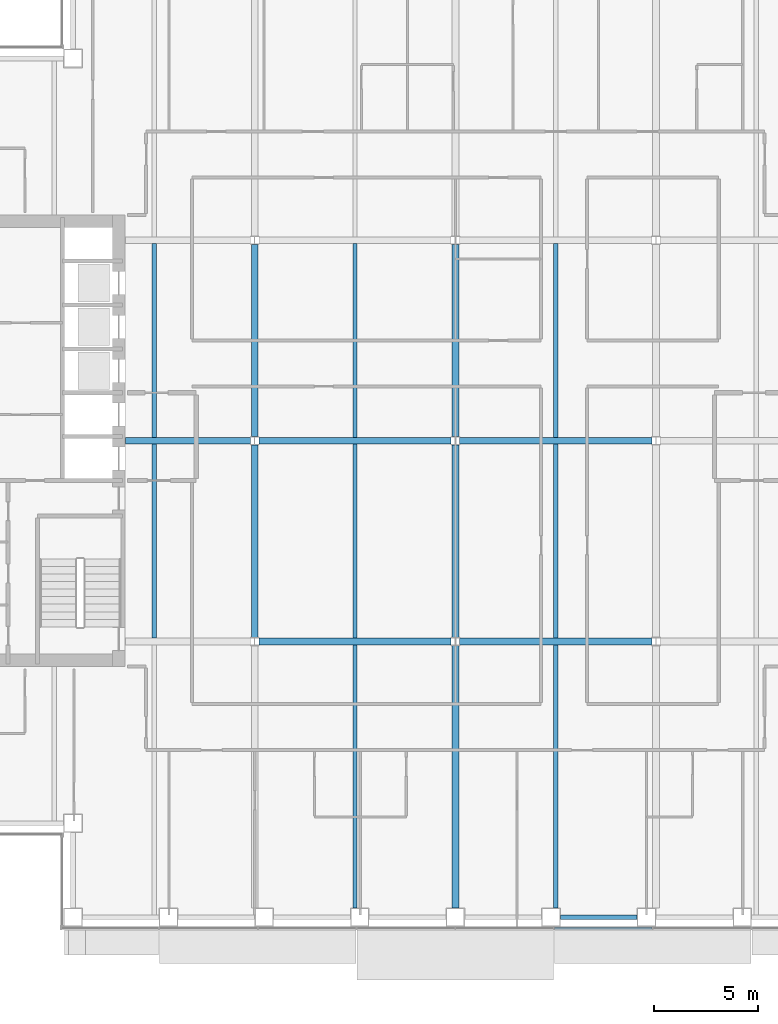
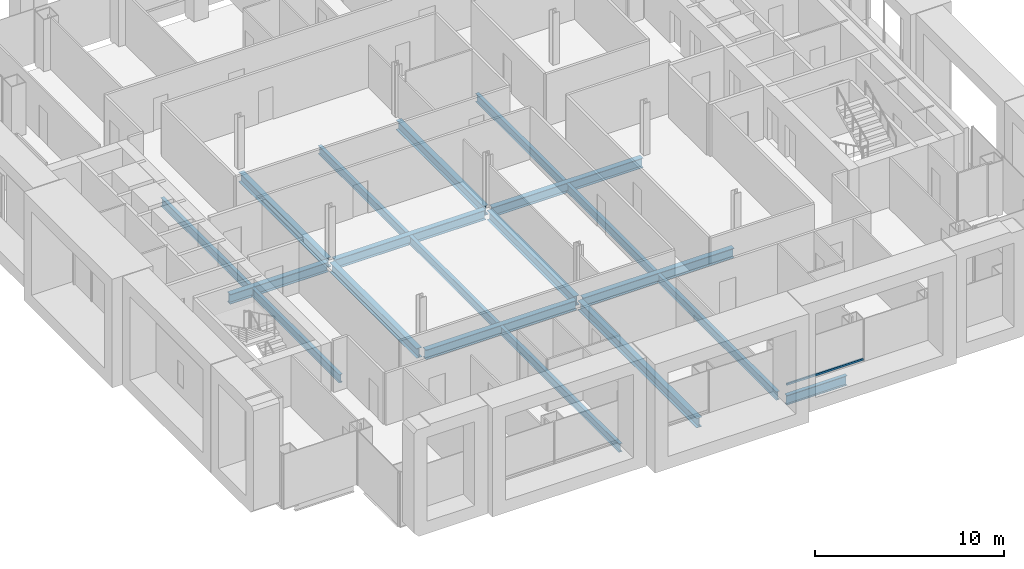
# One storey, part 3 of 20: 19 beams, 1 member, 1 element without a shape of its own.
"""IFC4 building model written with IfcOpenShell, lengths in metres."""

from ifc_helpers import new_model, si_unit, direction, frame, origin, origin_2d, place, context, subcontext, project, spatial, rectangle, i_section, extrude, material, material_profile, profile_set, type_object, element, aggregate, save


model = new_model("IFC4")

# Units and contexts
model_context = context("Model", 3, precision=1e-05, world=origin(), true_north=direction((0.0, 1.0)))
body_context = subcontext(model_context, "Body", "Model", "MODEL_VIEW")
ifc_project = project(units=[si_unit("LENGTHUNIT", "METRE"), si_unit("AREAUNIT", "SQUARE_METRE"), si_unit("VOLUMEUNIT", "CUBIC_METRE"), si_unit("PLANEANGLEUNIT", "RADIAN"), si_unit("MASSUNIT", "GRAM", prefix="KILO")], contexts=[model_context])

# Site, building, storey
site_placement = place(None, origin())
site = spatial("IfcSite", under=ifc_project, at=site_placement, CompositionType="ELEMENT")
building_placement = place(site_placement, origin())
building = spatial("IfcBuilding", under=site, at=building_placement, Name="Cobrizo Arcos Hotel Tower", CompositionType="ELEMENT")
storey_placement = place(building_placement, frame((0.0, 0.0, 110.0)))
storey = spatial("IfcBuildingStorey", under=building, at=storey_placement, Name="L27", CompositionType="ELEMENT", Elevation=110.0)

# Curtain wall, member
ifc_material_1 = material(Name="Aluminium 6063-T6 anodised bronze", Category="aluminium")
curtain_wall_type = type_object("IfcCurtainWallType", Name="CW-A guest facade", PredefinedType="NOTDEFINED", material=ifc_material_1)
curtain_wall_placement = place(storey_placement, origin())
curtain_wall = element("IfcCurtainWall", 1, at=curtain_wall_placement, inside=storey, type_object=curtain_wall_type, Name="CW-A L27 S face", PredefinedType="NOTDEFINED")
ifc_material_profile_1 = material_profile(ifc_material_1, rectangle(XDim=0.10009765625, YDim=0.1201171875, at=origin_2d()), Name="CW-A transom 120x100")
ifc_profile_set_1 = profile_set([ifc_material_profile_1], Name="Aluminium 6063-T6 anodised bronze")
member_type = type_object("IfcMemberType", Name="CW-A transom 120x100", PredefinedType="USERDEFINED", material=ifc_profile_set_1)
member_placement = place(storey_placement, frame((4.7548828125, -23.324951171875, 0.929931640625), z_axis=(1.0, 0.0, 0.0), x_axis=(0.0, 1.0, 0.0)))
member = element("IfcMember", 2, at=member_placement, type_object=member_type, Name="CW-A transom 1048", ObjectType="TRANSOM", PredefinedType="USERDEFINED", context=body_context, shape_type="SweptSolid", body=[
    extrude(rectangle(XDim=0.10009765625, YDim=0.1201171875, at=origin_2d()), origin(), (0.0, 0.0, 1.0), 4.6650390625),
])
aggregate(curtain_wall, [member])

# Beams
ifc_material_2 = material(Name="Steel ASTM A992 Grade 50", Category="steel")
ifc_material_profile_2 = material_profile(ifc_material_2, i_section(OverallWidth=0.209228515625, OverallDepth=0.533447265625, WebThickness=0.01025390625, FlangeThickness=0.015625, at=origin_2d()), Name="W21X62")
ifc_profile_set_2 = profile_set([ifc_material_profile_2], Name="Steel ASTM A992 Grade 50")
beam_type_1 = type_object("IfcBeamType", Name="W21X62 joist", PredefinedType="JOIST", material=ifc_profile_set_2)
for number, where, z_axis, x_axis, name in (
    (3, (-14.39990234375, -9.43603515625, -0.416748046875), (0.0, 1.0, 0.0), (-1.0, 0.0, 0.0), "Floor joist J1, L27, no. 004"),
    (4, (-14.39990234375, 0.163818359375, -0.416748046875), (0.0, 1.0, 0.0), (-1.0, 0.0, 0.0), "Floor joist J1, L27, no. 005"),
):
    element("IfcBeam", number, at=place(storey_placement, frame(where, z_axis=z_axis, x_axis=x_axis)), inside=storey, type_object=beam_type_1, Name=name, PredefinedType="JOIST", context=body_context, shape_type="SweptSolid", body=[
        extrude(i_section(OverallWidth=0.209228515625, OverallDepth=0.533447265625, WebThickness=0.01025390625, FlangeThickness=0.015625, at=origin_2d()), origin(), (0.0, 0.0, 1.0), 9.272216796875),
    ])
beam_1_placement = place(storey_placement, frame((-4.800048828125, -22.35009765625, -0.416748046875), z_axis=(0.0, 1.0, 0.0), x_axis=(-1.0, 0.0, 0.0)))
element("IfcBeam", 5, at=beam_1_placement, inside=storey, type_object=beam_type_1, Name="Floor joist J1, L27, no. 007", PredefinedType="JOIST", context=body_context, shape_type="SweptSolid", body=[
    extrude(i_section(OverallWidth=0.209228515625, OverallDepth=0.533447265625, WebThickness=0.01025390625, FlangeThickness=0.015625, at=origin_2d()), origin(), (0.0, 0.0, 1.0), 12.586181640625),
])
for number, where, z_axis, x_axis, name in (
    (6, (-4.800048828125, -9.43603515625, -0.416748046875), (0.0, 1.0, 0.0), (-1.0, 0.0, 0.0), "Floor joist J1, L27, no. 008"),
    (7, (-4.800048828125, 0.163818359375, -0.416748046875), (0.0, 1.0, 0.0), (-1.0, 0.0, 0.0), "Floor joist J1, L27, no. 009"),
):
    element("IfcBeam", number, at=place(storey_placement, frame(where, z_axis=z_axis, x_axis=x_axis)), inside=storey, type_object=beam_type_1, Name=name, PredefinedType="JOIST", context=body_context, shape_type="SweptSolid", body=[
        extrude(i_section(OverallWidth=0.209228515625, OverallDepth=0.533447265625, WebThickness=0.01025390625, FlangeThickness=0.015625, at=origin_2d()), origin(), (0.0, 0.0, 1.0), 9.272216796875),
    ])
beam_2_placement = place(storey_placement, frame((4.800048828125, -22.35009765625, -0.416748046875), z_axis=(0.0, 1.0, 0.0), x_axis=(-1.0, 0.0, 0.0)))
element("IfcBeam", 8, at=beam_2_placement, inside=storey, type_object=beam_type_1, Name="Floor joist J1, L27, no. 011", PredefinedType="JOIST", context=body_context, shape_type="SweptSolid", body=[
    extrude(i_section(OverallWidth=0.209228515625, OverallDepth=0.533447265625, WebThickness=0.01025390625, FlangeThickness=0.015625, at=origin_2d()), origin(), (0.0, 0.0, 1.0), 12.586181640625),
])
for number, where, z_axis, x_axis, name in (
    (9, (4.800048828125, -9.43603515625, -0.416748046875), (0.0, 1.0, 0.0), (-1.0, 0.0, 0.0), "Floor joist J1, L27, no. 012"),
    (10, (4.800048828125, 0.163818359375, -0.416748046875), (0.0, 1.0, 0.0), (-1.0, 0.0, 0.0), "Floor joist J1, L27, no. 013"),
):
    element("IfcBeam", number, at=place(storey_placement, frame(where, z_axis=z_axis, x_axis=x_axis)), inside=storey, type_object=beam_type_1, Name=name, PredefinedType="JOIST", context=body_context, shape_type="SweptSolid", body=[
        extrude(i_section(OverallWidth=0.209228515625, OverallDepth=0.533447265625, WebThickness=0.01025390625, FlangeThickness=0.015625, at=origin_2d()), origin(), (0.0, 0.0, 1.0), 9.272216796875),
    ])
ifc_material_profile_3 = material_profile(ifc_material_2, i_section(OverallWidth=0.32763671875, OverallDepth=0.622314453125, WebThickness=0.015380859375, FlangeThickness=0.0244140625, at=origin_2d()), Name="W24X131")
ifc_profile_set_3 = profile_set([ifc_material_profile_3], Name="Steel ASTM A992 Grade 50")
beam_type_2 = type_object("IfcBeamType", Name="W24X131 girder", PredefinedType="BEAM", material=ifc_profile_set_3)
for number, where, z_axis, x_axis, name in (
    (11, (-9.400634765625, -9.60009765625, -0.461181640625), (1.0, 0.0, 0.0), (0.0, 1.0, 0.0), "Floor girder G1, L27, no. 002"),
    (12, (0.199462890625, -9.60009765625, -0.461181640625), (1.0, 0.0, 0.0), (0.0, 1.0, 0.0), "Floor girder G1, L27, no. 003"),
):
    element("IfcBeam", number, at=place(storey_placement, frame(where, z_axis=z_axis, x_axis=x_axis)), inside=storey, type_object=beam_type_2, Name=name, PredefinedType="BEAM", context=body_context, shape_type="SweptSolid", body=[
        extrude(i_section(OverallWidth=0.32763671875, OverallDepth=0.622314453125, WebThickness=0.015380859375, FlangeThickness=0.0244140625, at=origin_2d()), origin(), (0.0, 0.0, 1.0), 9.201171875),
    ])
beam_3_placement = place(storey_placement, frame((-15.7900390625, 0.0, -0.461181640625), z_axis=(1.0, 0.0, 0.0), x_axis=(0.0, 1.0, 0.0)))
element("IfcBeam", 13, at=beam_3_placement, inside=storey, type_object=beam_type_2, Name="Floor girder G1, L27, no. 005", PredefinedType="BEAM", context=body_context, shape_type="SweptSolid", body=[
    extrude(i_section(OverallWidth=0.32763671875, OverallDepth=0.622314453125, WebThickness=0.015380859375, FlangeThickness=0.0244140625, at=origin_2d()), origin(), (0.0, 0.0, 1.0), 5.99072265625),
])
for number, where, z_axis, x_axis, name in (
    (14, (-9.400634765625, 0.0, -0.461181640625), (1.0, 0.0, 0.0), (0.0, 1.0, 0.0), "Floor girder G1, L27, no. 006"),
    (15, (0.199462890625, 0.0, -0.461181640625), (1.0, 0.0, 0.0), (0.0, 1.0, 0.0), "Floor girder G1, L27, no. 007"),
    (16, (-9.60009765625, -9.400634765625, -0.461181640625), (0.0, 1.0, 0.0), (-1.0, 0.0, 0.0), "Floor girder G1, L27, no. 014"),
    (17, (-9.60009765625, 0.199462890625, -0.461181640625), (0.0, 1.0, 0.0), (-1.0, 0.0, 0.0), "Floor girder G1, L27, no. 015"),
):
    element("IfcBeam", number, at=place(storey_placement, frame(where, z_axis=z_axis, x_axis=x_axis)), inside=storey, type_object=beam_type_2, Name=name, PredefinedType="BEAM", context=body_context, shape_type="SweptSolid", body=[
        extrude(i_section(OverallWidth=0.32763671875, OverallDepth=0.622314453125, WebThickness=0.015380859375, FlangeThickness=0.0244140625, at=origin_2d()), origin(), (0.0, 0.0, 1.0), 9.201171875),
    ])
beam_4_placement = place(storey_placement, frame((0.0, -22.35009765625, -0.461181640625), z_axis=(0.0, 1.0, 0.0), x_axis=(-1.0, 0.0, 0.0)))
element("IfcBeam", 18, at=beam_4_placement, inside=storey, type_object=beam_type_2, Name="Floor girder G1, L27, no. 017", PredefinedType="BEAM", context=body_context, shape_type="SweptSolid", body=[
    extrude(i_section(OverallWidth=0.32763671875, OverallDepth=0.622314453125, WebThickness=0.015380859375, FlangeThickness=0.0244140625, at=origin_2d()), origin(), (0.0, 0.0, 1.0), 12.55078125),
])
for number, where, z_axis, x_axis, name in (
    (19, (0.0, -9.400634765625, -0.461181640625), (0.0, 1.0, 0.0), (-1.0, 0.0, 0.0), "Floor girder G1, L27, no. 018"),
    (20, (0.0, 0.199462890625, -0.461181640625), (0.0, 1.0, 0.0), (-1.0, 0.0, 0.0), "Floor girder G1, L27, no. 019"),
):
    element("IfcBeam", number, at=place(storey_placement, frame(where, z_axis=z_axis, x_axis=x_axis)), inside=storey, type_object=beam_type_2, Name=name, PredefinedType="BEAM", context=body_context, shape_type="SweptSolid", body=[
        extrude(i_section(OverallWidth=0.32763671875, OverallDepth=0.622314453125, WebThickness=0.015380859375, FlangeThickness=0.0244140625, at=origin_2d()), origin(), (0.0, 0.0, 1.0), 9.201171875),
    ])
ifc_material_profile_4 = material_profile(ifc_material_2, i_section(OverallWidth=0.23046875, OverallDepth=0.6171875, WebThickness=0.01318359375, FlangeThickness=0.022216796875, at=origin_2d()), Name="W24X94")
ifc_profile_set_4 = profile_set([ifc_material_profile_4], Name="Steel ASTM A992 Grade 50")
beam_type_3 = type_object("IfcBeamType", Name="W24X94 spandrel", PredefinedType="SPANDREL", material=ifc_profile_set_4)
beam_5_placement = place(storey_placement, frame((5.02490234375, -22.800048828125, -0.45849609375), z_axis=(1.0, 0.0, 0.0), x_axis=(0.0, 1.0, 0.0)))
element("IfcBeam", 21, at=beam_5_placement, inside=storey, type_object=beam_type_3, Name="Spandrel beam W24X94, L27, no. 006", PredefinedType="SPANDREL", context=body_context, shape_type="SweptSolid", body=[
    extrude(i_section(OverallWidth=0.23046875, OverallDepth=0.6171875, WebThickness=0.01318359375, FlangeThickness=0.022216796875, at=origin_2d()), origin(), (0.0, 0.0, 1.0), 3.675048828125),
])

save(model, "model.ifc")
